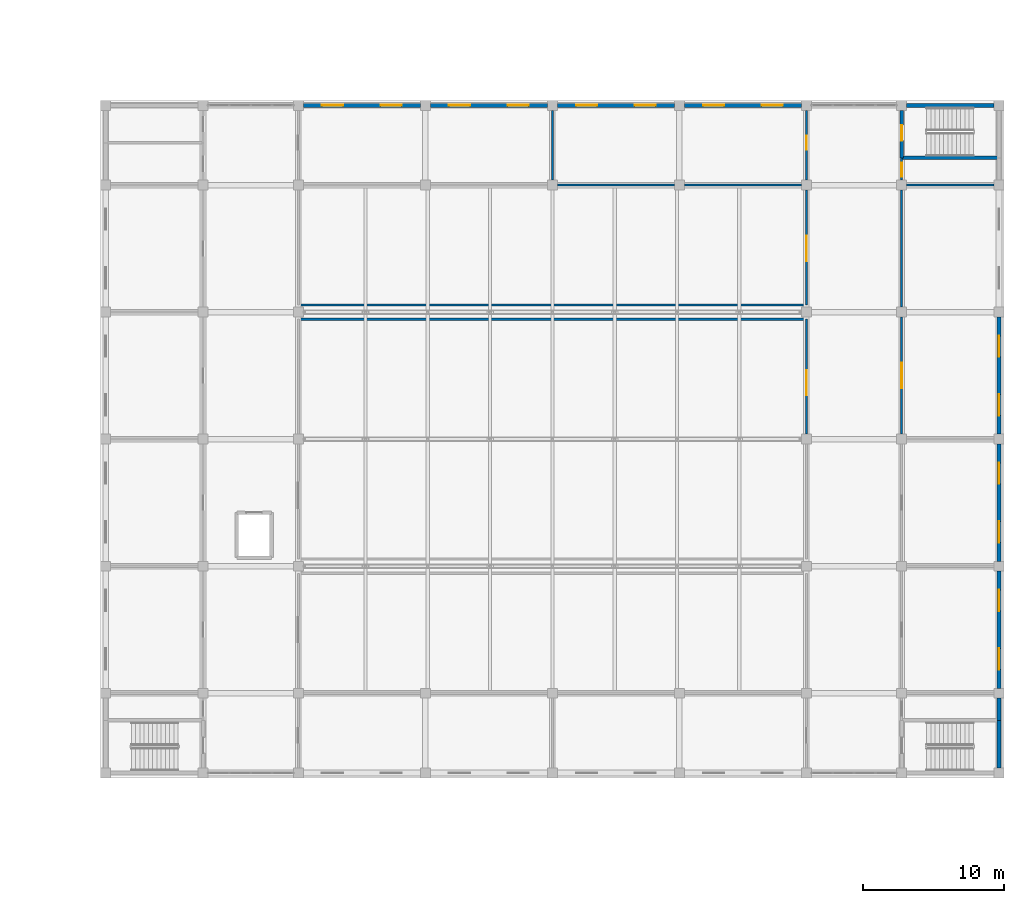
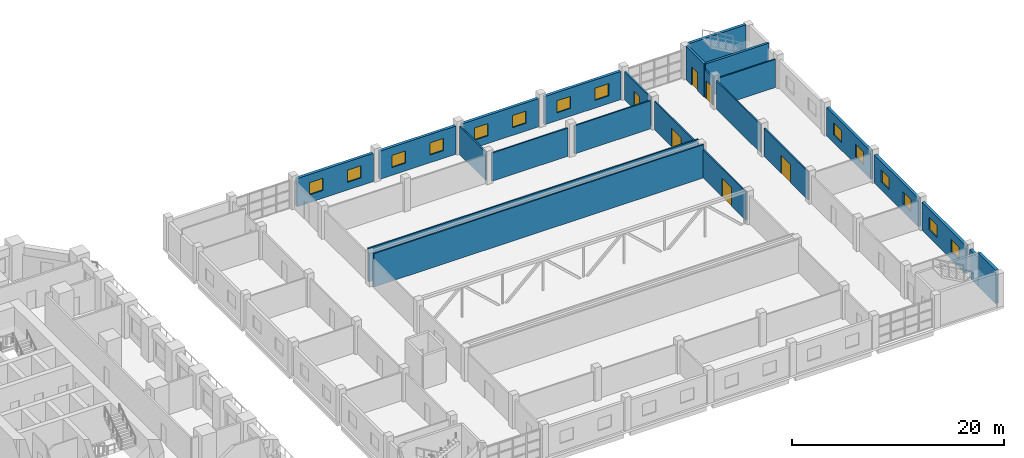
# One storey, part 33 of 42: 24 walls, 14 windows, 6 doors, 20 openings.
"""IFC4 building model written with IfcOpenShell, lengths in metres."""

from ifc_helpers import new_model, si_unit, direction, frame, frame_2d, origin, place, context, subcontext, project, spatial, rectangle, extrude, material, layer, layer_set, type_object, element, fill, save


model = new_model("IFC4")

# Units and contexts
model_context = context("Model", 3, precision=1e-05, world=origin(), true_north=direction((0.0, 1.0)))
body_context = subcontext(model_context, "Body", "Model", "MODEL_VIEW")
ifc_project = project(units=[si_unit("LENGTHUNIT", "METRE"), si_unit("AREAUNIT", "SQUARE_METRE"), si_unit("VOLUMEUNIT", "CUBIC_METRE"), si_unit("PLANEANGLEUNIT", "RADIAN"), si_unit("MASSUNIT", "GRAM", prefix="KILO")], contexts=[model_context])

# Site, building, storey
site_placement = place(None, origin())
site = spatial("IfcSite", under=ifc_project, at=site_placement, CompositionType="ELEMENT")
building_placement = place(site_placement, origin())
building = spatial("IfcBuilding", under=site, at=building_placement, Name="Corbel Stack Research Tower", CompositionType="ELEMENT")
storey_placement = place(building_placement, frame((0.0, 0.0, 11.300048828125)))
storey = spatial("IfcBuildingStorey", under=building, at=storey_placement, Name="L02", CompositionType="ELEMENT", Elevation=11.300048828125)

# Wall, openings, windows
ifc_material_1 = material(Name="Concrete C40/50", Category="concrete")
ifc_layer_1 = layer(ifc_material_1, 0.300048828125)
ifc_layer_set_1 = layer_set([ifc_layer_1], Name="Concrete C40/50")
wall_type_1 = type_object("IfcWallType", Name="HW1 exterior wall 300", PredefinedType="SOLIDWALL", material=ifc_layer_set_1)
wall_1_placement = place(storey_placement, frame((51.300048828125, 23.64990234375, 0.0), z_axis=(0.0, 0.0, 1.0), x_axis=(1.0, 0.0, 0.0)))
wall_1 = element("IfcWall", 1, at=wall_1_placement, inside=storey, type_object=wall_type_1, Name="Exterior wall L02 h23.65/51.3", PredefinedType="SOLIDWALL", context=body_context, shape_type="SweptSolid", body=[
    extrude(rectangle(XDim=8.300048828125, YDim=0.300048828125, at=frame_2d((4.14990234375, 0.0))), origin(), (0.0, 0.0, 1.0), 3.25),
])
opening_1_placement = place(wall_1_placement, frame((1.324951171875, 0.0, 0.89990234375)))
opening_1 = element("IfcOpeningElement", 2, at=opening_1_placement, cuts=wall_1, Name="Opening HX1", PredefinedType="OPENING", context=body_context, shape_type="SweptSolid", body=[
    extrude(rectangle(XDim=1.5, YDim=1.39990234375, at=frame_2d((0.75, 0.699951171875))), frame((0.0, 0.159912109375, 0.0), z_axis=(0.0, -1.0, 0.0), x_axis=(1.0, 0.0, 0.0)), (0.0, 0.0, 1.0), 0.320068359375),
])
opening_2_placement = place(wall_1_placement, frame((5.47509765625, 0.0, 0.89990234375)))
opening_2 = element("IfcOpeningElement", 3, at=opening_2_placement, cuts=wall_1, Name="Opening HX1", PredefinedType="OPENING", context=body_context, shape_type="SweptSolid", body=[
    extrude(rectangle(XDim=1.5, YDim=1.39990234375, at=frame_2d((0.75, 0.699951171875))), frame((0.0, 0.159912109375, 0.0), z_axis=(0.0, -1.0, 0.0), x_axis=(1.0, 0.0, 0.0)), (0.0, 0.0, 1.0), 0.320068359375),
])
ifc_material_2 = material(Name="Glass and aluminium", Category="aluminium")
window_type = type_object("IfcWindowType", Name="HW6 window 1500 x 1400", PartitioningType="SINGLE_PANEL", PredefinedType="WINDOW", material=ifc_material_2)
window_1_placement = place(opening_1_placement, origin())
window_1 = element("IfcWindow", 4, at=window_1_placement, inside=storey, type_object=window_type, Name="Window L02 Office suite", OverallHeight=1.39990234375, OverallWidth=1.5, PartitioningType="SINGLE_PANEL", PredefinedType="WINDOW", context=body_context, shape_type="SweptSolid", body=[
    extrude(rectangle(XDim=1.5, YDim=1.39990234375, at=frame_2d((0.75, 0.699951171875))), frame((0.0, 0.030029296875, 0.0), z_axis=(0.0, -1.0, 0.0), x_axis=(1.0, 0.0, 0.0)), (0.0, 0.0, 1.0), 0.06005859375),
])
fill(opening_1, window_1)
window_2_placement = place(opening_2_placement, origin())
window_2 = element("IfcWindow", 5, at=window_2_placement, inside=storey, type_object=window_type, Name="Window L02 Office suite", OverallHeight=1.39990234375, OverallWidth=1.5, PartitioningType="SINGLE_PANEL", PredefinedType="WINDOW", context=body_context, shape_type="SweptSolid", body=[
    extrude(rectangle(XDim=1.5, YDim=1.39990234375, at=frame_2d((0.75, 0.699951171875))), frame((0.0, 0.030029296875, 0.0), z_axis=(0.0, -1.0, 0.0), x_axis=(1.0, 0.0, 0.0)), (0.0, 0.0, 1.0), 0.06005859375),
])
fill(opening_2, window_2)

wall_2_placement = place(storey_placement, frame((60.300048828125, 23.64990234375, 0.0), z_axis=(0.0, 0.0, 1.0), x_axis=(1.0, 0.0, 0.0)))
wall_2 = element("IfcWall", 6, at=wall_2_placement, inside=storey, type_object=wall_type_1, Name="Exterior wall L02 h23.65/60.3", PredefinedType="SOLIDWALL", context=body_context, shape_type="SweptSolid", body=[
    extrude(rectangle(XDim=8.300048828125, YDim=0.300048828125, at=frame_2d((4.14990234375, 0.0))), origin(), (0.0, 0.0, 1.0), 3.25),
])
opening_3_placement = place(wall_2_placement, frame((1.324951171875, 0.0, 0.89990234375)))
opening_3 = element("IfcOpeningElement", 7, at=opening_3_placement, cuts=wall_2, Name="Opening HX1", PredefinedType="OPENING", context=body_context, shape_type="SweptSolid", body=[
    extrude(rectangle(XDim=1.5, YDim=1.39990234375, at=frame_2d((0.75, 0.699951171875))), frame((0.0, 0.159912109375, 0.0), z_axis=(0.0, -1.0, 0.0), x_axis=(1.0, 0.0, 0.0)), (0.0, 0.0, 1.0), 0.320068359375),
])
opening_4_placement = place(wall_2_placement, frame((5.47509765625, 0.0, 0.89990234375)))
opening_4 = element("IfcOpeningElement", 8, at=opening_4_placement, cuts=wall_2, Name="Opening HX1", PredefinedType="OPENING", context=body_context, shape_type="SweptSolid", body=[
    extrude(rectangle(XDim=1.5, YDim=1.39990234375, at=frame_2d((0.75, 0.699951171875))), frame((0.0, 0.159912109375, 0.0), z_axis=(0.0, -1.0, 0.0), x_axis=(1.0, 0.0, 0.0)), (0.0, 0.0, 1.0), 0.320068359375),
])
window_3_placement = place(opening_3_placement, origin())
window_3 = element("IfcWindow", 9, at=window_3_placement, inside=storey, type_object=window_type, Name="Window L02 Office suite", OverallHeight=1.39990234375, OverallWidth=1.5, PartitioningType="SINGLE_PANEL", PredefinedType="WINDOW", context=body_context, shape_type="SweptSolid", body=[
    extrude(rectangle(XDim=1.5, YDim=1.39990234375, at=frame_2d((0.75, 0.699951171875))), frame((0.0, 0.030029296875, 0.0), z_axis=(0.0, -1.0, 0.0), x_axis=(1.0, 0.0, 0.0)), (0.0, 0.0, 1.0), 0.06005859375),
])
fill(opening_3, window_3)
window_4_placement = place(opening_4_placement, origin())
window_4 = element("IfcWindow", 10, at=window_4_placement, inside=storey, type_object=window_type, Name="Window L02 Office suite", OverallHeight=1.39990234375, OverallWidth=1.5, PartitioningType="SINGLE_PANEL", PredefinedType="WINDOW", context=body_context, shape_type="SweptSolid", body=[
    extrude(rectangle(XDim=1.5, YDim=1.39990234375, at=frame_2d((0.75, 0.699951171875))), frame((0.0, 0.030029296875, 0.0), z_axis=(0.0, -1.0, 0.0), x_axis=(1.0, 0.0, 0.0)), (0.0, 0.0, 1.0), 0.06005859375),
])
fill(opening_4, window_4)

wall_3_placement = place(storey_placement, frame((69.300048828125, 23.64990234375, 0.0), z_axis=(0.0, 0.0, 1.0), x_axis=(1.0, 0.0, 0.0)))
wall_3 = element("IfcWall", 11, at=wall_3_placement, inside=storey, type_object=wall_type_1, Name="Exterior wall L02 h23.65/69.3", PredefinedType="SOLIDWALL", context=body_context, shape_type="SweptSolid", body=[
    extrude(rectangle(XDim=8.300048828125, YDim=0.300048828125, at=frame_2d((4.14990234375, 0.0))), origin(), (0.0, 0.0, 1.0), 3.25),
])
opening_5_placement = place(wall_3_placement, frame((1.324951171875, 0.0, 0.89990234375)))
opening_5 = element("IfcOpeningElement", 12, at=opening_5_placement, cuts=wall_3, Name="Opening HX1", PredefinedType="OPENING", context=body_context, shape_type="SweptSolid", body=[
    extrude(rectangle(XDim=1.5, YDim=1.39990234375, at=frame_2d((0.75, 0.699951171875))), frame((0.0, 0.159912109375, 0.0), z_axis=(0.0, -1.0, 0.0), x_axis=(1.0, 0.0, 0.0)), (0.0, 0.0, 1.0), 0.320068359375),
])
opening_6_placement = place(wall_3_placement, frame((5.47509765625, 0.0, 0.89990234375)))
opening_6 = element("IfcOpeningElement", 13, at=opening_6_placement, cuts=wall_3, Name="Opening HX1", PredefinedType="OPENING", context=body_context, shape_type="SweptSolid", body=[
    extrude(rectangle(XDim=1.5, YDim=1.39990234375, at=frame_2d((0.75, 0.699951171875))), frame((0.0, 0.159912109375, 0.0), z_axis=(0.0, -1.0, 0.0), x_axis=(1.0, 0.0, 0.0)), (0.0, 0.0, 1.0), 0.320068359375),
])
window_5_placement = place(opening_5_placement, origin())
window_5 = element("IfcWindow", 14, at=window_5_placement, inside=storey, type_object=window_type, Name="Window L02 Club room 3", OverallHeight=1.39990234375, OverallWidth=1.5, PartitioningType="SINGLE_PANEL", PredefinedType="WINDOW", context=body_context, shape_type="SweptSolid", body=[
    extrude(rectangle(XDim=1.5, YDim=1.39990234375, at=frame_2d((0.75, 0.699951171875))), frame((0.0, 0.030029296875, 0.0), z_axis=(0.0, -1.0, 0.0), x_axis=(1.0, 0.0, 0.0)), (0.0, 0.0, 1.0), 0.06005859375),
])
fill(opening_5, window_5)
window_6_placement = place(opening_6_placement, origin())
window_6 = element("IfcWindow", 15, at=window_6_placement, inside=storey, type_object=window_type, Name="Window L02 Club room 3", OverallHeight=1.39990234375, OverallWidth=1.5, PartitioningType="SINGLE_PANEL", PredefinedType="WINDOW", context=body_context, shape_type="SweptSolid", body=[
    extrude(rectangle(XDim=1.5, YDim=1.39990234375, at=frame_2d((0.75, 0.699951171875))), frame((0.0, 0.030029296875, 0.0), z_axis=(0.0, -1.0, 0.0), x_axis=(1.0, 0.0, 0.0)), (0.0, 0.0, 1.0), 0.06005859375),
])
fill(opening_6, window_6)

wall_4_placement = place(storey_placement, frame((78.300048828125, 23.64990234375, 0.0), z_axis=(0.0, 0.0, 1.0), x_axis=(1.0, 0.0, 0.0)))
wall_4 = element("IfcWall", 16, at=wall_4_placement, inside=storey, type_object=wall_type_1, Name="Exterior wall L02 h23.65/78.3", PredefinedType="SOLIDWALL", context=body_context, shape_type="SweptSolid", body=[
    extrude(rectangle(XDim=8.300048828125, YDim=0.300048828125, at=frame_2d((4.14990234375, 0.0))), origin(), (0.0, 0.0, 1.0), 3.25),
])
opening_7_placement = place(wall_4_placement, frame((1.324951171875, 0.0, 0.89990234375)))
opening_7 = element("IfcOpeningElement", 17, at=opening_7_placement, cuts=wall_4, Name="Opening HX1", PredefinedType="OPENING", context=body_context, shape_type="SweptSolid", body=[
    extrude(rectangle(XDim=1.5, YDim=1.39990234375, at=frame_2d((0.75, 0.699951171875))), frame((0.0, 0.159912109375, 0.0), z_axis=(0.0, -1.0, 0.0), x_axis=(1.0, 0.0, 0.0)), (0.0, 0.0, 1.0), 0.320068359375),
])
opening_8_placement = place(wall_4_placement, frame((5.47509765625, 0.0, 0.89990234375)))
opening_8 = element("IfcOpeningElement", 18, at=opening_8_placement, cuts=wall_4, Name="Opening HX1", PredefinedType="OPENING", context=body_context, shape_type="SweptSolid", body=[
    extrude(rectangle(XDim=1.5, YDim=1.39990234375, at=frame_2d((0.75, 0.699951171875))), frame((0.0, 0.159912109375, 0.0), z_axis=(0.0, -1.0, 0.0), x_axis=(1.0, 0.0, 0.0)), (0.0, 0.0, 1.0), 0.320068359375),
])
window_7_placement = place(opening_7_placement, origin())
window_7 = element("IfcWindow", 19, at=window_7_placement, inside=storey, type_object=window_type, Name="Window L02 Club room 3", OverallHeight=1.39990234375, OverallWidth=1.5, PartitioningType="SINGLE_PANEL", PredefinedType="WINDOW", context=body_context, shape_type="SweptSolid", body=[
    extrude(rectangle(XDim=1.5, YDim=1.39990234375, at=frame_2d((0.75, 0.699951171875))), frame((0.0, 0.030029296875, 0.0), z_axis=(0.0, -1.0, 0.0), x_axis=(1.0, 0.0, 0.0)), (0.0, 0.0, 1.0), 0.06005859375),
])
fill(opening_7, window_7)
window_8_placement = place(opening_8_placement, origin())
window_8 = element("IfcWindow", 20, at=window_8_placement, inside=storey, type_object=window_type, Name="Window L02 Club room 3", OverallHeight=1.39990234375, OverallWidth=1.5, PartitioningType="SINGLE_PANEL", PredefinedType="WINDOW", context=body_context, shape_type="SweptSolid", body=[
    extrude(rectangle(XDim=1.5, YDim=1.39990234375, at=frame_2d((0.75, 0.699951171875))), frame((0.0, 0.030029296875, 0.0), z_axis=(0.0, -1.0, 0.0), x_axis=(1.0, 0.0, 0.0)), (0.0, 0.0, 1.0), 0.06005859375),
])
fill(opening_8, window_8)

# Wall
wall_5_placement = place(storey_placement, frame((100.60009765625, -19.925048828125, 0.0), z_axis=(0.0, 0.0, 1.0), x_axis=(0.0, 1.0, 0.0)))
element("IfcWall", 21, at=wall_5_placement, inside=storey, type_object=wall_type_1, Name="Exterior wall L02 v100.60/-19.9", PredefinedType="SOLIDWALL", context=body_context, shape_type="SweptSolid", body=[
    extrude(rectangle(XDim=1.574951171875, YDim=0.300048828125, at=frame_2d((0.78759765625, 0.0))), origin(), (0.0, 0.0, 1.0), 3.25),
])

# Wall, openings, windows
wall_6_placement = place(storey_placement, frame((100.60009765625, -17.64990234375, 0.0), z_axis=(0.0, 0.0, 1.0), x_axis=(0.0, 1.0, 0.0)))
wall_6 = element("IfcWall", 22, at=wall_6_placement, inside=storey, type_object=wall_type_1, Name="Exterior wall L02 v100.60/-17.6", PredefinedType="SOLIDWALL", context=body_context, shape_type="SweptSolid", body=[
    extrude(rectangle(XDim=8.2998046875, YDim=0.300048828125, at=frame_2d((4.14990234375, 0.0))), origin(), (0.0, 0.0, 1.0), 3.25),
])
opening_9_placement = place(wall_6_placement, frame((1.324951171875, 0.0, 0.89990234375)))
opening_9 = element("IfcOpeningElement", 23, at=opening_9_placement, cuts=wall_6, Name="Opening HX1", PredefinedType="OPENING", context=body_context, shape_type="SweptSolid", body=[
    extrude(rectangle(XDim=1.5, YDim=1.39990234375, at=frame_2d((0.75, 0.699951171875))), frame((0.0, 0.159912109375, 0.0), z_axis=(0.0, -1.0, 0.0), x_axis=(1.0, 0.0, 0.0)), (0.0, 0.0, 1.0), 0.320068359375),
])
opening_10_placement = place(wall_6_placement, frame((5.47509765625, 0.0, 0.89990234375)))
opening_10 = element("IfcOpeningElement", 24, at=opening_10_placement, cuts=wall_6, Name="Opening HX1", PredefinedType="OPENING", context=body_context, shape_type="SweptSolid", body=[
    extrude(rectangle(XDim=1.5, YDim=1.39990234375, at=frame_2d((0.75, 0.699951171875))), frame((0.0, 0.159912109375, 0.0), z_axis=(0.0, -1.0, 0.0), x_axis=(1.0, 0.0, 0.0)), (0.0, 0.0, 1.0), 0.320068359375),
])
window_9_placement = place(opening_9_placement, origin())
window_9 = element("IfcWindow", 25, at=window_9_placement, inside=storey, type_object=window_type, Name="Window L02 Office 4", OverallHeight=1.39990234375, OverallWidth=1.5, PartitioningType="SINGLE_PANEL", PredefinedType="WINDOW", context=body_context, shape_type="SweptSolid", body=[
    extrude(rectangle(XDim=1.5, YDim=1.39990234375, at=frame_2d((0.75, 0.699951171875))), frame((0.0, 0.030029296875, 0.0), z_axis=(0.0, -1.0, 0.0), x_axis=(1.0, 0.0, 0.0)), (0.0, 0.0, 1.0), 0.06005859375),
])
fill(opening_9, window_9)
window_10_placement = place(opening_10_placement, origin())
window_10 = element("IfcWindow", 26, at=window_10_placement, inside=storey, type_object=window_type, Name="Window L02 Office 4", OverallHeight=1.39990234375, OverallWidth=1.5, PartitioningType="SINGLE_PANEL", PredefinedType="WINDOW", context=body_context, shape_type="SweptSolid", body=[
    extrude(rectangle(XDim=1.5, YDim=1.39990234375, at=frame_2d((0.75, 0.699951171875))), frame((0.0, 0.030029296875, 0.0), z_axis=(0.0, -1.0, 0.0), x_axis=(1.0, 0.0, 0.0)), (0.0, 0.0, 1.0), 0.06005859375),
])
fill(opening_10, window_10)

wall_7_placement = place(storey_placement, frame((100.60009765625, -8.64990234375, 0.0), z_axis=(0.0, 0.0, 1.0), x_axis=(0.0, 1.0, 0.0)))
wall_7 = element("IfcWall", 27, at=wall_7_placement, inside=storey, type_object=wall_type_1, Name="Exterior wall L02 v100.60/-8.7", PredefinedType="SOLIDWALL", context=body_context, shape_type="SweptSolid", body=[
    extrude(rectangle(XDim=8.2998046875, YDim=0.300048828125, at=frame_2d((4.14990234375, 0.0))), origin(), (0.0, 0.0, 1.0), 3.25),
])
opening_11_placement = place(wall_7_placement, frame((1.324951171875, 0.0, 0.89990234375)))
opening_11 = element("IfcOpeningElement", 28, at=opening_11_placement, cuts=wall_7, Name="Opening HX1", PredefinedType="OPENING", context=body_context, shape_type="SweptSolid", body=[
    extrude(rectangle(XDim=1.5, YDim=1.39990234375, at=frame_2d((0.75, 0.699951171875))), frame((0.0, 0.159912109375, 0.0), z_axis=(0.0, -1.0, 0.0), x_axis=(1.0, 0.0, 0.0)), (0.0, 0.0, 1.0), 0.320068359375),
])
opening_12_placement = place(wall_7_placement, frame((5.47509765625, 0.0, 0.89990234375)))
opening_12 = element("IfcOpeningElement", 29, at=opening_12_placement, cuts=wall_7, Name="Opening HX1", PredefinedType="OPENING", context=body_context, shape_type="SweptSolid", body=[
    extrude(rectangle(XDim=1.5, YDim=1.39990234375, at=frame_2d((0.75, 0.699951171875))), frame((0.0, 0.159912109375, 0.0), z_axis=(0.0, -1.0, 0.0), x_axis=(1.0, 0.0, 0.0)), (0.0, 0.0, 1.0), 0.320068359375),
])
window_11_placement = place(opening_11_placement, origin())
window_11 = element("IfcWindow", 30, at=window_11_placement, inside=storey, type_object=window_type, Name="Window L02 Meeting room 2", OverallHeight=1.39990234375, OverallWidth=1.5, PartitioningType="SINGLE_PANEL", PredefinedType="WINDOW", context=body_context, shape_type="SweptSolid", body=[
    extrude(rectangle(XDim=1.5, YDim=1.39990234375, at=frame_2d((0.75, 0.699951171875))), frame((0.0, 0.030029296875, 0.0), z_axis=(0.0, -1.0, 0.0), x_axis=(1.0, 0.0, 0.0)), (0.0, 0.0, 1.0), 0.06005859375),
])
fill(opening_11, window_11)
window_12_placement = place(opening_12_placement, origin())
window_12 = element("IfcWindow", 31, at=window_12_placement, inside=storey, type_object=window_type, Name="Window L02 Meeting room 2", OverallHeight=1.39990234375, OverallWidth=1.5, PartitioningType="SINGLE_PANEL", PredefinedType="WINDOW", context=body_context, shape_type="SweptSolid", body=[
    extrude(rectangle(XDim=1.5, YDim=1.39990234375, at=frame_2d((0.75, 0.699951171875))), frame((0.0, 0.030029296875, 0.0), z_axis=(0.0, -1.0, 0.0), x_axis=(1.0, 0.0, 0.0)), (0.0, 0.0, 1.0), 0.06005859375),
])
fill(opening_12, window_12)

wall_8_placement = place(storey_placement, frame((100.60009765625, 0.35009765625, 0.0), z_axis=(0.0, 0.0, 1.0), x_axis=(0.0, 1.0, 0.0)))
wall_8 = element("IfcWall", 32, at=wall_8_placement, inside=storey, type_object=wall_type_1, Name="Exterior wall L02 v100.60/0.3", PredefinedType="SOLIDWALL", context=body_context, shape_type="SweptSolid", body=[
    extrude(rectangle(XDim=8.2998046875, YDim=0.300048828125, at=frame_2d((4.14990234375, 0.0))), origin(), (0.0, 0.0, 1.0), 3.25),
])
opening_13_placement = place(wall_8_placement, frame((1.324951171875, 0.0, 0.89990234375)))
opening_13 = element("IfcOpeningElement", 33, at=opening_13_placement, cuts=wall_8, Name="Opening HX1", PredefinedType="OPENING", context=body_context, shape_type="SweptSolid", body=[
    extrude(rectangle(XDim=1.5, YDim=1.39990234375, at=frame_2d((0.75, 0.699951171875))), frame((0.0, 0.159912109375, 0.0), z_axis=(0.0, -1.0, 0.0), x_axis=(1.0, 0.0, 0.0)), (0.0, 0.0, 1.0), 0.320068359375),
])
opening_14_placement = place(wall_8_placement, frame((5.47509765625, 0.0, 0.89990234375)))
opening_14 = element("IfcOpeningElement", 34, at=opening_14_placement, cuts=wall_8, Name="Opening HX1", PredefinedType="OPENING", context=body_context, shape_type="SweptSolid", body=[
    extrude(rectangle(XDim=1.5, YDim=1.39990234375, at=frame_2d((0.75, 0.699951171875))), frame((0.0, 0.159912109375, 0.0), z_axis=(0.0, -1.0, 0.0), x_axis=(1.0, 0.0, 0.0)), (0.0, 0.0, 1.0), 0.320068359375),
])
window_13_placement = place(opening_13_placement, origin())
window_13 = element("IfcWindow", 35, at=window_13_placement, inside=storey, type_object=window_type, Name="Window L02 Multipurpose room 2", OverallHeight=1.39990234375, OverallWidth=1.5, PartitioningType="SINGLE_PANEL", PredefinedType="WINDOW", context=body_context, shape_type="SweptSolid", body=[
    extrude(rectangle(XDim=1.5, YDim=1.39990234375, at=frame_2d((0.75, 0.699951171875))), frame((0.0, 0.030029296875, 0.0), z_axis=(0.0, -1.0, 0.0), x_axis=(1.0, 0.0, 0.0)), (0.0, 0.0, 1.0), 0.06005859375),
])
fill(opening_13, window_13)
window_14_placement = place(opening_14_placement, origin())
window_14 = element("IfcWindow", 36, at=window_14_placement, inside=storey, type_object=window_type, Name="Window L02 Multipurpose room 2", OverallHeight=1.39990234375, OverallWidth=1.5, PartitioningType="SINGLE_PANEL", PredefinedType="WINDOW", context=body_context, shape_type="SweptSolid", body=[
    extrude(rectangle(XDim=1.5, YDim=1.39990234375, at=frame_2d((0.75, 0.699951171875))), frame((0.0, 0.030029296875, 0.0), z_axis=(0.0, -1.0, 0.0), x_axis=(1.0, 0.0, 0.0)), (0.0, 0.0, 1.0), 0.06005859375),
])
fill(opening_14, window_14)

# Wall
ifc_material_3 = material(Name="Concrete C40/50", Category="concrete")
ifc_layer_2 = layer(ifc_material_3, 0.25)
ifc_layer_set_2 = layer_set([ifc_layer_2], Name="Concrete C40/50")
wall_type_2 = type_object("IfcWallType", Name="HW2 core wall C40/50 250", PredefinedType="SHEAR", material=ifc_layer_set_2)
wall_9_placement = place(storey_placement, frame((93.699951171875, 19.925048828125, 0.0), z_axis=(0.0, 0.0, 1.0), x_axis=(1.0, 0.0, 0.0)))
element("IfcWall", 37, at=wall_9_placement, inside=storey, type_object=wall_type_2, Name="Wall L02 h19.93/93.7", PredefinedType="SHEAR", context=body_context, shape_type="SweptSolid", body=[
    extrude(rectangle(XDim=6.900146484375, YDim=0.25, at=frame_2d((3.4501953125, 0.0))), origin(), (0.0, 0.0, 1.0), 3.849853515625),
])

# Wall, opening, door
wall_10_placement = place(storey_placement, frame((93.699951171875, 19.925048828125, 0.0), z_axis=(0.0, 0.0, 1.0), x_axis=(0.0, 1.0, 0.0)))
wall_10 = element("IfcWall", 38, at=wall_10_placement, inside=storey, type_object=wall_type_2, Name="Wall L02 v93.70/19.9", PredefinedType="SHEAR", context=body_context, shape_type="SweptSolid", body=[
    extrude(rectangle(XDim=3.375, YDim=0.25, at=frame_2d((1.6875, 0.0))), origin(), (0.0, 0.0, 1.0), 3.849853515625),
])
opening_15_placement = place(wall_10_placement, frame((1.22509765625, 0.0, 0.0)))
opening_15 = element("IfcOpeningElement", 39, at=opening_15_placement, cuts=wall_10, Name="Opening H2-24", PredefinedType="OPENING", context=body_context, shape_type="SweptSolid", body=[
    extrude(rectangle(XDim=1.10009765625, YDim=2.10009765625, at=frame_2d((0.550048828125, 1.050048828125))), frame((0.0, 0.135009765625, 0.0), z_axis=(0.0, -1.0, 0.0), x_axis=(1.0, 0.0, 0.0)), (0.0, 0.0, 1.0), 0.27001953125),
])
ifc_material_4 = material(Name="Steel", Category="steel")
door_type_1 = type_object("IfcDoorType", Name="HD4 fire door 1100 x 2100", OperationType="NOTDEFINED", PredefinedType="DOOR", material=ifc_material_4)
door_1_placement = place(opening_15_placement, origin())
door_1 = element("IfcDoor", 40, at=door_1_placement, inside=storey, type_object=door_type_1, Name="Door H2-24", OperationType="SINGLE_SWING_LEFT", OverallHeight=2.10009765625, OverallWidth=1.10009765625, PredefinedType="DOOR", context=body_context, shape_type="SweptSolid", body=[
    extrude(rectangle(XDim=1.10009765625, YDim=2.10009765625, at=frame_2d((0.550048828125, 1.050048828125))), frame((0.0, 0.02490234375, 0.0), z_axis=(0.0, -1.0, 0.0), x_axis=(1.0, 0.0, 0.0)), (0.0, 0.0, 1.0), 0.050048828125),
])
fill(opening_15, door_1)

# Walls
ifc_material_5 = material(Name="Concrete masonry unit", Category="masonry")
ifc_layer_3 = layer(ifc_material_5, 0.14990234375)
ifc_layer_set_3 = layer_set([ifc_layer_3], Name="Concrete masonry unit")
wall_type_3 = type_object("IfcWallType", Name="HW3 partition 150", PredefinedType="PARTITIONING", material=ifc_layer_set_3)
for number, where, z_axis, x_axis, name in (
    (41, (50.949951171875, 8.5, 0.0), (0.0, 0.0, 1.0), (1.0, 0.0, 0.0), "Wall L02 h8.50/51.0"),
    (42, (50.949951171875, 9.5, 0.0), (0.0, 0.0, 1.0), (1.0, 0.0, 0.0), "Wall L02 h9.50/51.0"),
):
    element("IfcWall", number, at=place(storey_placement, frame(where, z_axis=z_axis, x_axis=x_axis)), inside=storey, type_object=wall_type_3, Name=name, PredefinedType="PARTITIONING", context=body_context, shape_type="SweptSolid", body=[
        extrude(rectangle(XDim=36.0, YDim=0.14990234375, at=frame_2d((18.0, 0.0))), origin(), (0.0, 0.0, 1.0), 3.849853515625),
    ])
for number, where, z_axis, x_axis, name in (
    (43, (69.300048828125, 18.0, 0.0), (0.0, 0.0, 1.0), (1.0, 0.0, 0.0), "Wall L02 h18.00/69.3"),
    (44, (78.300048828125, 18.0, 0.0), (0.0, 0.0, 1.0), (1.0, 0.0, 0.0), "Wall L02 h18.00/78.3"),
):
    element("IfcWall", number, at=place(storey_placement, frame(where, z_axis=z_axis, x_axis=x_axis)), inside=storey, type_object=wall_type_3, Name=name, PredefinedType="PARTITIONING", context=body_context, shape_type="SweptSolid", body=[
        extrude(rectangle(XDim=8.300048828125, YDim=0.14990234375, at=frame_2d((4.14990234375, 0.0))), origin(), (0.0, 0.0, 1.0), 3.25),
    ])
wall_11_placement = place(storey_placement, frame((94.050048828125, 18.0, 0.0), z_axis=(0.0, 0.0, 1.0), x_axis=(1.0, 0.0, 0.0)))
element("IfcWall", 45, at=wall_11_placement, inside=storey, type_object=wall_type_3, Name="Wall L02 h18.00/94.0", PredefinedType="PARTITIONING", context=body_context, shape_type="SweptSolid", body=[
    extrude(rectangle(XDim=6.199951171875, YDim=0.14990234375, at=frame_2d((3.10009765625, 0.0))), origin(), (0.0, 0.0, 1.0), 3.25),
])
wall_12_placement = place(storey_placement, frame((68.949951171875, 18.35009765625, 0.0), z_axis=(0.0, 0.0, 1.0), x_axis=(0.0, 1.0, 0.0)))
element("IfcWall", 46, at=wall_12_placement, inside=storey, type_object=wall_type_3, Name="Wall L02 v68.95/18.4", PredefinedType="PARTITIONING", context=body_context, shape_type="SweptSolid", body=[
    extrude(rectangle(XDim=4.949951171875, YDim=0.14990234375, at=frame_2d((2.47509765625, 0.0))), origin(), (0.0, 0.0, 1.0), 3.25),
])

# Wall, opening, door
wall_13_placement = place(storey_placement, frame((86.949951171875, 8.5, 0.0), z_axis=(0.0, 0.0, 1.0), x_axis=(0.0, -1.0, 0.0)))
wall_13 = element("IfcWall", 47, at=wall_13_placement, inside=storey, type_object=wall_type_3, Name="Wall L02 v86.95/0.3", PredefinedType="PARTITIONING", context=body_context, shape_type="SweptSolid", body=[
    extrude(rectangle(XDim=8.14990234375, YDim=0.14990234375, at=frame_2d((4.074951171875, 0.0))), origin(), (0.0, 0.0, 1.0), 3.25),
])
opening_16_placement = place(wall_13_placement, frame((3.60009765625, 0.0, 0.0)))
opening_16 = element("IfcOpeningElement", 48, at=opening_16_placement, cuts=wall_13, Name="Opening H2-15", PredefinedType="OPENING", context=body_context, shape_type="SweptSolid", body=[
    extrude(rectangle(XDim=1.800048828125, YDim=2.10009765625, at=frame_2d((0.89990234375, 1.050048828125))), frame((0.0, 0.0849609375, 0.0), z_axis=(0.0, -1.0, 0.0), x_axis=(1.0, 0.0, 0.0)), (0.0, 0.0, 1.0), 0.169921875),
])
ifc_material_6 = material(Name="Timber", Category="wood")
door_type_2 = type_object("IfcDoorType", Name="HD2 double door 1800 x 2100", OperationType="DOUBLE_DOOR_SINGLE_SWING", PredefinedType="DOOR", material=ifc_material_6)
door_2_placement = place(opening_16_placement, origin())
door_2 = element("IfcDoor", 49, at=door_2_placement, inside=storey, type_object=door_type_2, Name="Door H2-15", OperationType="DOUBLE_DOOR_SINGLE_SWING", OverallHeight=2.10009765625, OverallWidth=1.800048828125, PredefinedType="DOOR", context=body_context, shape_type="SweptSolid", body=[
    extrude(rectangle(XDim=1.800048828125, YDim=2.10009765625, at=frame_2d((0.89990234375, 1.050048828125))), frame((0.0, 0.02490234375, 0.0), z_axis=(0.0, -1.0, 0.0), x_axis=(1.0, 0.0, 0.0)), (0.0, 0.0, 1.0), 0.050048828125),
])
fill(opening_16, door_2)

wall_14_placement = place(storey_placement, frame((86.949951171875, 17.64990234375, 0.0), z_axis=(0.0, 0.0, 1.0), x_axis=(0.0, -1.0, 0.0)))
wall_14 = element("IfcWall", 50, at=wall_14_placement, inside=storey, type_object=wall_type_3, Name="Wall L02 v86.95/9.5", PredefinedType="PARTITIONING", context=body_context, shape_type="SweptSolid", body=[
    extrude(rectangle(XDim=8.14990234375, YDim=0.14990234375, at=frame_2d((4.074951171875, 0.0))), origin(), (0.0, 0.0, 1.0), 3.25),
])
opening_17_placement = place(wall_14_placement, frame((3.25, 0.0, 0.0)))
opening_17 = element("IfcOpeningElement", 51, at=opening_17_placement, cuts=wall_14, Name="Opening H2-16", PredefinedType="OPENING", context=body_context, shape_type="SweptSolid", body=[
    extrude(rectangle(XDim=1.800048828125, YDim=2.10009765625, at=frame_2d((0.89990234375, 1.050048828125))), frame((0.0, 0.0849609375, 0.0), z_axis=(0.0, -1.0, 0.0), x_axis=(1.0, 0.0, 0.0)), (0.0, 0.0, 1.0), 0.169921875),
])
door_3_placement = place(opening_17_placement, origin())
door_3 = element("IfcDoor", 52, at=door_3_placement, inside=storey, type_object=door_type_2, Name="Door H2-16", OperationType="DOUBLE_DOOR_SINGLE_SWING", OverallHeight=2.10009765625, OverallWidth=1.800048828125, PredefinedType="DOOR", context=body_context, shape_type="SweptSolid", body=[
    extrude(rectangle(XDim=1.800048828125, YDim=2.10009765625, at=frame_2d((0.89990234375, 1.050048828125))), frame((0.0, 0.02490234375, 0.0), z_axis=(0.0, -1.0, 0.0), x_axis=(1.0, 0.0, 0.0)), (0.0, 0.0, 1.0), 0.050048828125),
])
fill(opening_17, door_3)

wall_15_placement = place(storey_placement, frame((86.949951171875, 18.35009765625, 0.0), z_axis=(0.0, 0.0, 1.0), x_axis=(0.0, 1.0, 0.0)))
wall_15 = element("IfcWall", 53, at=wall_15_placement, inside=storey, type_object=wall_type_3, Name="Wall L02 v86.95/18.4", PredefinedType="PARTITIONING", context=body_context, shape_type="SweptSolid", body=[
    extrude(rectangle(XDim=4.949951171875, YDim=0.14990234375, at=frame_2d((2.47509765625, 0.0))), origin(), (0.0, 0.0, 1.0), 3.25),
])
opening_18_placement = place(wall_15_placement, frame((2.14990234375, 0.0, 0.0)))
opening_18 = element("IfcOpeningElement", 54, at=opening_18_placement, cuts=wall_15, Name="Opening H2-17", PredefinedType="OPENING", context=body_context, shape_type="SweptSolid", body=[
    extrude(rectangle(XDim=1.0, YDim=2.10009765625, at=frame_2d((0.5, 1.050048828125))), frame((0.0, 0.0849609375, 0.0), z_axis=(0.0, -1.0, 0.0), x_axis=(1.0, 0.0, 0.0)), (0.0, 0.0, 1.0), 0.169921875),
])
ifc_material_7 = material(Name="Timber", Category="wood")
door_type_3 = type_object("IfcDoorType", Name="HD1 single door 1000 x 2100", OperationType="NOTDEFINED", PredefinedType="DOOR", material=ifc_material_7)
door_4_placement = place(opening_18_placement, origin())
door_4 = element("IfcDoor", 55, at=door_4_placement, inside=storey, type_object=door_type_3, Name="Door H2-17", OperationType="SINGLE_SWING_RIGHT", OverallHeight=2.10009765625, OverallWidth=1.0, PredefinedType="DOOR", context=body_context, shape_type="SweptSolid", body=[
    extrude(rectangle(XDim=1.0, YDim=2.10009765625, at=frame_2d((0.5, 1.050048828125))), frame((0.0, 0.02490234375, 0.0), z_axis=(0.0, -1.0, 0.0), x_axis=(1.0, 0.0, 0.0)), (0.0, 0.0, 1.0), 0.050048828125),
])
fill(opening_18, door_4)

wall_16_placement = place(storey_placement, frame((93.699951171875, 0.35009765625, 0.0), z_axis=(0.0, 0.0, 1.0), x_axis=(0.0, 1.0, 0.0)))
wall_16 = element("IfcWall", 56, at=wall_16_placement, inside=storey, type_object=wall_type_3, Name="Wall L02 v93.70/0.3", PredefinedType="PARTITIONING", context=body_context, shape_type="SweptSolid", body=[
    extrude(rectangle(XDim=8.2998046875, YDim=0.14990234375, at=frame_2d((4.14990234375, 0.0))), origin(), (0.0, 0.0, 1.0), 3.25),
])
opening_19_placement = place(wall_16_placement, frame((3.25, 0.0, 0.0)))
opening_19 = element("IfcOpeningElement", 57, at=opening_19_placement, cuts=wall_16, Name="Opening H2-22", PredefinedType="OPENING", context=body_context, shape_type="SweptSolid", body=[
    extrude(rectangle(XDim=1.800048828125, YDim=2.10009765625, at=frame_2d((0.89990234375, 1.050048828125))), frame((0.0, 0.0849609375, 0.0), z_axis=(0.0, -1.0, 0.0), x_axis=(1.0, 0.0, 0.0)), (0.0, 0.0, 1.0), 0.169921875),
])
door_5_placement = place(opening_19_placement, origin())
door_5 = element("IfcDoor", 58, at=door_5_placement, inside=storey, type_object=door_type_2, Name="Door H2-22", OperationType="DOUBLE_DOOR_SINGLE_SWING", OverallHeight=2.10009765625, OverallWidth=1.800048828125, PredefinedType="DOOR", context=body_context, shape_type="SweptSolid", body=[
    extrude(rectangle(XDim=1.800048828125, YDim=2.10009765625, at=frame_2d((0.89990234375, 1.050048828125))), frame((0.0, 0.02490234375, 0.0), z_axis=(0.0, -1.0, 0.0), x_axis=(1.0, 0.0, 0.0)), (0.0, 0.0, 1.0), 0.050048828125),
])
fill(opening_19, door_5)

# Wall
wall_17_placement = place(storey_placement, frame((93.699951171875, 9.35009765625, 0.0), z_axis=(0.0, 0.0, 1.0), x_axis=(0.0, 1.0, 0.0)))
element("IfcWall", 59, at=wall_17_placement, inside=storey, type_object=wall_type_3, Name="Wall L02 v93.70/9.3", PredefinedType="PARTITIONING", context=body_context, shape_type="SweptSolid", body=[
    extrude(rectangle(XDim=8.2998046875, YDim=0.14990234375, at=frame_2d((4.14990234375, 0.0))), origin(), (0.0, 0.0, 1.0), 3.25),
])

# Wall, opening, door
wall_18_placement = place(storey_placement, frame((93.699951171875, 19.925048828125, 0.0), z_axis=(0.0, 0.0, 1.0), x_axis=(0.0, -1.0, 0.0)))
wall_18 = element("IfcWall", 60, at=wall_18_placement, inside=storey, type_object=wall_type_3, Name="Wall L02 v93.70/18.4", PredefinedType="PARTITIONING", context=body_context, shape_type="SweptSolid", body=[
    extrude(rectangle(XDim=1.574951171875, YDim=0.14990234375, at=frame_2d((0.78759765625, 0.0))), origin(), (0.0, 0.0, 1.0), 3.25),
])
opening_20_placement = place(wall_18_placement, frame((0.324951171875, 0.0, 0.0)))
opening_20 = element("IfcOpeningElement", 61, at=opening_20_placement, cuts=wall_18, Name="Opening H2-23", PredefinedType="OPENING", context=body_context, shape_type="SweptSolid", body=[
    extrude(rectangle(XDim=1.0, YDim=2.10009765625, at=frame_2d((0.5, 1.050048828125))), frame((0.0, 0.0849609375, 0.0), z_axis=(0.0, -1.0, 0.0), x_axis=(1.0, 0.0, 0.0)), (0.0, 0.0, 1.0), 0.169921875),
])
door_6_placement = place(opening_20_placement, origin())
door_6 = element("IfcDoor", 62, at=door_6_placement, inside=storey, type_object=door_type_3, Name="Door H2-23", OperationType="SINGLE_SWING_RIGHT", OverallHeight=2.10009765625, OverallWidth=1.0, PredefinedType="DOOR", context=body_context, shape_type="SweptSolid", body=[
    extrude(rectangle(XDim=1.0, YDim=2.10009765625, at=frame_2d((0.5, 1.050048828125))), frame((0.0, 0.02490234375, 0.0), z_axis=(0.0, -1.0, 0.0), x_axis=(1.0, 0.0, 0.0)), (0.0, 0.0, 1.0), 0.050048828125),
])
fill(opening_20, door_6)

# Walls
ifc_material_8 = material(Name="Concrete C40/50", Category="concrete")
ifc_layer_4 = layer(ifc_material_8, 0.300048828125)
ifc_layer_set_4 = layer_set([ifc_layer_4], Name="Concrete C40/50")
wall_type_4 = type_object("IfcWallType", Name="HW6 exterior wall C40/50 300", PredefinedType="SHEAR", material=ifc_layer_set_4)
wall_19_placement = place(storey_placement, frame((94.050048828125, 23.64990234375, 0.0), z_axis=(0.0, 0.0, 1.0), x_axis=(1.0, 0.0, 0.0)))
element("IfcWall", 63, at=wall_19_placement, inside=storey, type_object=wall_type_4, Name="Exterior wall L02 h23.65/94.0", PredefinedType="SHEAR", context=body_context, shape_type="SweptSolid", body=[
    extrude(rectangle(XDim=6.199951171875, YDim=0.300048828125, at=frame_2d((3.10009765625, 0.0))), origin(), (0.0, 0.0, 1.0), 3.849853515625),
])
wall_20_placement = place(storey_placement, frame((100.60009765625, -23.300048828125, 0.0), z_axis=(0.0, 0.0, 1.0), x_axis=(0.0, 1.0, 0.0)))
element("IfcWall", 64, at=wall_20_placement, inside=storey, type_object=wall_type_4, Name="Exterior wall L02 v100.60/-23.3", PredefinedType="SHEAR", context=body_context, shape_type="SweptSolid", body=[
    extrude(rectangle(XDim=3.375, YDim=0.300048828125, at=frame_2d((1.6875, 0.0))), origin(), (0.0, 0.0, 1.0), 3.849853515625),
])

save(model, "model.ifc")
